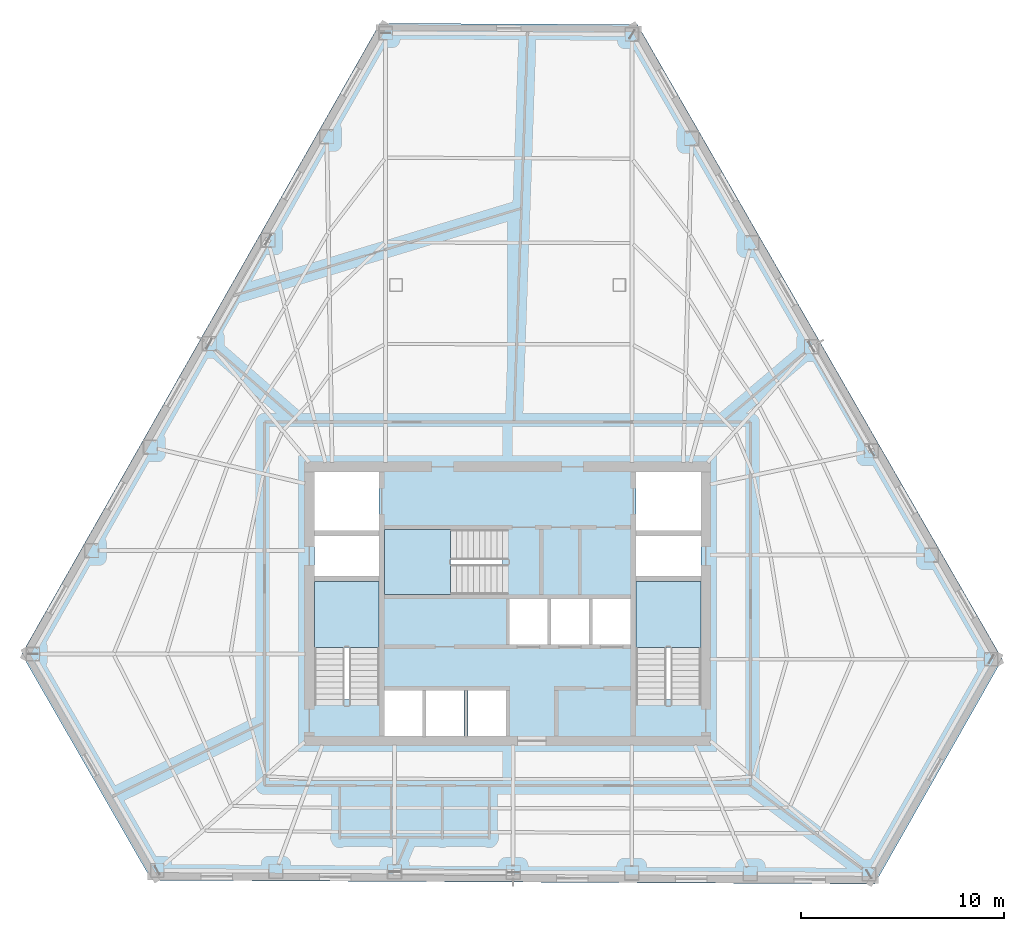
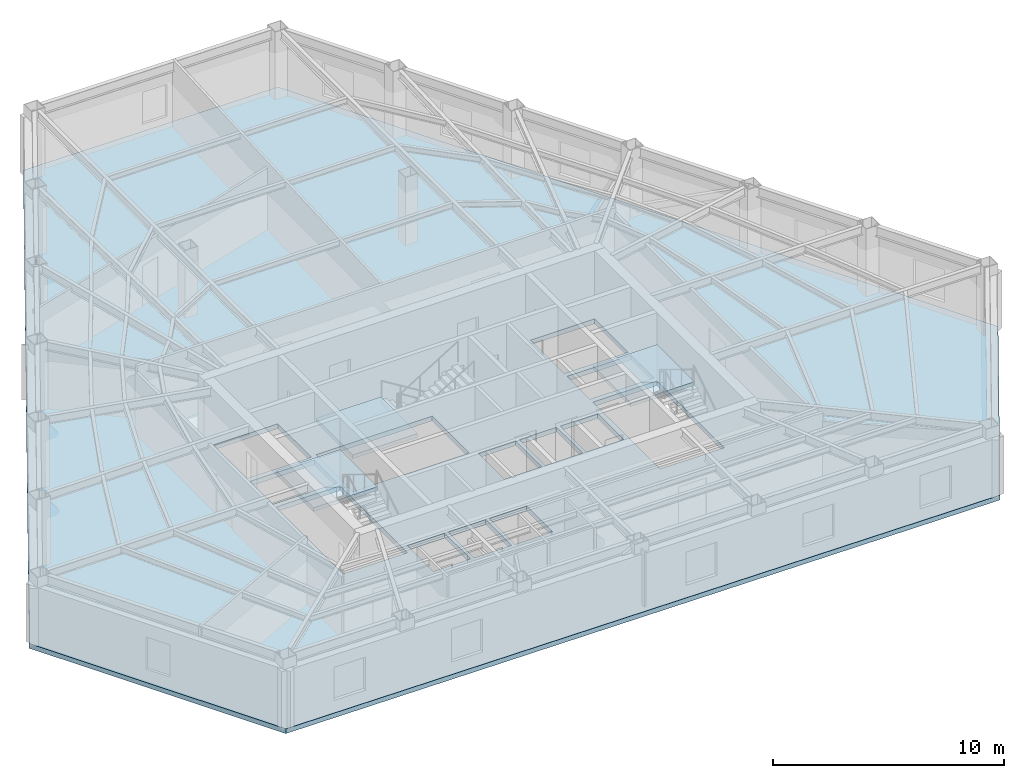
# One storey, part 3 of 12: 4 slabs, 3 elements without a shape of their own.
"""IFC4 building model written with IfcOpenShell, lengths in metres."""

from ifc_helpers import new_model, si_unit, direction, frame, origin, place, context, subcontext, project, spatial, polyline, outline, extrude, material, layer, layer_set, type_object, element, aggregate, save


model = new_model("IFC4")

# Units and contexts
model_context = context("Model", 3, precision=1e-05, world=origin(), true_north=direction((0.0, 1.0)))
body_context = subcontext(model_context, "Body", "Model", "MODEL_VIEW")
ifc_project = project(units=[si_unit("LENGTHUNIT", "METRE"), si_unit("AREAUNIT", "SQUARE_METRE"), si_unit("VOLUMEUNIT", "CUBIC_METRE"), si_unit("PLANEANGLEUNIT", "RADIAN"), si_unit("MASSUNIT", "GRAM", prefix="KILO")], contexts=[model_context])

# Site, building, storey
site_placement = place(None, origin())
site = spatial("IfcSite", under=ifc_project, at=site_placement, CompositionType="ELEMENT")
building_placement = place(site_placement, origin())
building = spatial("IfcBuilding", under=site, at=building_placement, Name="Kavelnor Concourse Tower", CompositionType="ELEMENT")
storey_placement = place(building_placement, frame((0.0, 0.0, 104.75)))
storey = spatial("IfcBuildingStorey", under=building, at=storey_placement, Name="L26", CompositionType="ELEMENT", Elevation=104.75)

# Stair, slab
ifc_material = material(Name="Concrete C40/50", Category="concrete")
stair_type = type_object("IfcStairType", Name="STR-CORE-1500", PredefinedType="HALF_TURN_STAIR", material=ifc_material)
stair_1_placement = place(storey_placement, origin())
stair_1 = element("IfcStair", 1, at=stair_1_placement, inside=storey, type_object=stair_type, Name="L26 ST1", PredefinedType="HALF_TURN_STAIR")
ifc_layer_1 = layer(ifc_material, 0.199951171875, Name="Concrete C40/50")
ifc_layer_set_1 = layer_set([ifc_layer_1], Name="Concrete C40/50")
slab_type_1 = type_object("IfcSlabType", Name="SLB-LANDING-200", PredefinedType="LANDING", material=ifc_layer_set_1)
slab_1_placement = place(storey_placement, frame((0.0, 0.0, 1.72509765625)))
slab_1 = element("IfcSlab", 2, at=slab_1_placement, type_object=slab_type_1, Name="ST1 landing 1", PredefinedType="LANDING", context=body_context, shape_type="SweptSolid", body=[
    extrude(outline(polyline([(31.679931640625, 13.949951171875), (31.679931640625, 17.199951171875), (28.47998046875, 17.199951171875), (28.47998046875, 13.949951171875), (31.679931640625, 13.949951171875)])), origin(), (0.0, 0.0, 1.0), 0.199951171875),
])
aggregate(stair_1, [slab_1])

stair_2_placement = place(storey_placement, origin())
stair_2 = element("IfcStair", 3, at=stair_2_placement, inside=storey, type_object=stair_type, Name="L26 ST2", PredefinedType="HALF_TURN_STAIR")
slab_2_placement = place(storey_placement, frame((0.0, 0.0, 1.72509765625)))
slab_2 = element("IfcSlab", 4, at=slab_2_placement, type_object=slab_type_1, Name="ST2 landing 1", PredefinedType="LANDING", context=body_context, shape_type="SweptSolid", body=[
    extrude(outline(polyline([(47.52001953125, 13.949951171875), (47.52001953125, 17.199951171875), (44.320068359375, 17.199951171875), (44.320068359375, 13.949951171875), (47.52001953125, 13.949951171875)])), origin(), (0.0, 0.0, 1.0), 0.199951171875),
])
aggregate(stair_2, [slab_2])

stair_3_placement = place(storey_placement, origin())
stair_3 = element("IfcStair", 5, at=stair_3_placement, inside=storey, type_object=stair_type, Name="L26 ST3", PredefinedType="HALF_TURN_STAIR")
slab_3_placement = place(storey_placement, frame((0.0, 0.0, 1.72509765625)))
slab_3 = element("IfcSlab", 6, at=slab_3_placement, type_object=slab_type_1, Name="ST3 landing 1", PredefinedType="LANDING", context=body_context, shape_type="SweptSolid", body=[
    extrude(outline(polyline([(35.18994140625, 19.760009765625), (31.93994140625, 19.760009765625), (31.93994140625, 16.56005859375), (35.18994140625, 16.56005859375), (35.18994140625, 19.760009765625)])), origin(), (0.0, 0.0, 1.0), 0.199951171875),
])
aggregate(stair_3, [slab_3])

# Slab
ifc_layer_2 = layer(ifc_material, 0.25, Name="Concrete C40/50")
ifc_layer_set_2 = layer_set([ifc_layer_2], Name="Concrete C40/50")
slab_type_2 = type_object("IfcSlabType", Name="SLB-OFFICE-250", PredefinedType="FLOOR", material=ifc_layer_set_2)
slab_4_placement = place(storey_placement, frame((0.0, 0.0, -0.25)))
element("IfcSlab", 7, at=slab_4_placement, inside=storey, type_object=slab_type_2, Name="L26 Composite Structural Floor Slab", PredefinedType="FLOOR", context=body_context, shape_type="SweptSolid", body=[
    extrude(outline(polyline([(44.40185546875, 44.6201171875), (31.712158203125, 44.685791015625), (14.07080078125, 13.625), (20.47265625, 2.48828125), (56.07568359375, 2.303466796875), (62.363525390625, 13.374267578125), (44.40185546875, 44.6201171875)]), holes=[polyline([(28.47998046875, 11.3798828125), (31.679931640625, 11.3798828125), (31.679931640625, 17.199951171875), (28.47998046875, 17.199951171875), (28.47998046875, 11.3798828125)]), polyline([(44.320068359375, 11.3798828125), (47.52001953125, 11.3798828125), (47.52001953125, 17.199951171875), (44.320068359375, 17.199951171875), (44.320068359375, 11.3798828125)]), polyline([(31.93994140625, 16.56005859375), (37.760009765625, 16.56005859375), (37.760009765625, 19.760009765625), (31.93994140625, 19.760009765625), (31.93994140625, 16.56005859375)]), polyline([(28.47998046875, 19.699951171875), (31.679931640625, 19.699951171875), (31.679931640625, 22.60009765625), (28.47998046875, 22.60009765625), (28.47998046875, 19.699951171875)]), polyline([(44.320068359375, 19.699951171875), (47.52001953125, 19.699951171875), (47.52001953125, 22.60009765625), (44.320068359375, 22.60009765625), (44.320068359375, 19.699951171875)]), polyline([(38.090087890625, 14.10009765625), (39.9599609375, 14.10009765625), (39.9599609375, 16.340087890625), (38.090087890625, 16.340087890625), (38.090087890625, 14.10009765625)]), polyline([(40.139892578125, 14.10009765625), (42.010009765625, 14.10009765625), (42.010009765625, 16.340087890625), (40.139892578125, 16.340087890625), (40.139892578125, 14.10009765625)]), polyline([(42.18994140625, 14.10009765625), (44.06005859375, 14.10009765625), (44.06005859375, 16.340087890625), (42.18994140625, 16.340087890625), (42.18994140625, 14.10009765625)]), polyline([(31.93994140625, 9.60009765625), (33.81005859375, 9.60009765625), (33.81005859375, 11.840087890625), (31.93994140625, 11.840087890625), (31.93994140625, 9.60009765625)]), polyline([(33.989990234375, 9.60009765625), (35.860107421875, 9.60009765625), (35.860107421875, 11.840087890625), (33.989990234375, 11.840087890625), (33.989990234375, 9.60009765625)]), polyline([(36.0400390625, 9.60009765625), (37.909912109375, 9.60009765625), (37.909912109375, 11.840087890625), (36.0400390625, 11.840087890625), (36.0400390625, 9.60009765625)]), polyline([(28.47998046875, 17.4599609375), (31.679931640625, 17.4599609375), (31.679931640625, 19.43994140625), (28.47998046875, 19.43994140625), (28.47998046875, 17.4599609375)]), polyline([(44.320068359375, 17.4599609375), (47.52001953125, 17.4599609375), (47.52001953125, 19.43994140625), (44.320068359375, 19.43994140625), (44.320068359375, 17.4599609375)])]), origin(), (0.0, 0.0, 1.0), 0.25),
])

save(model, "model.ifc")
